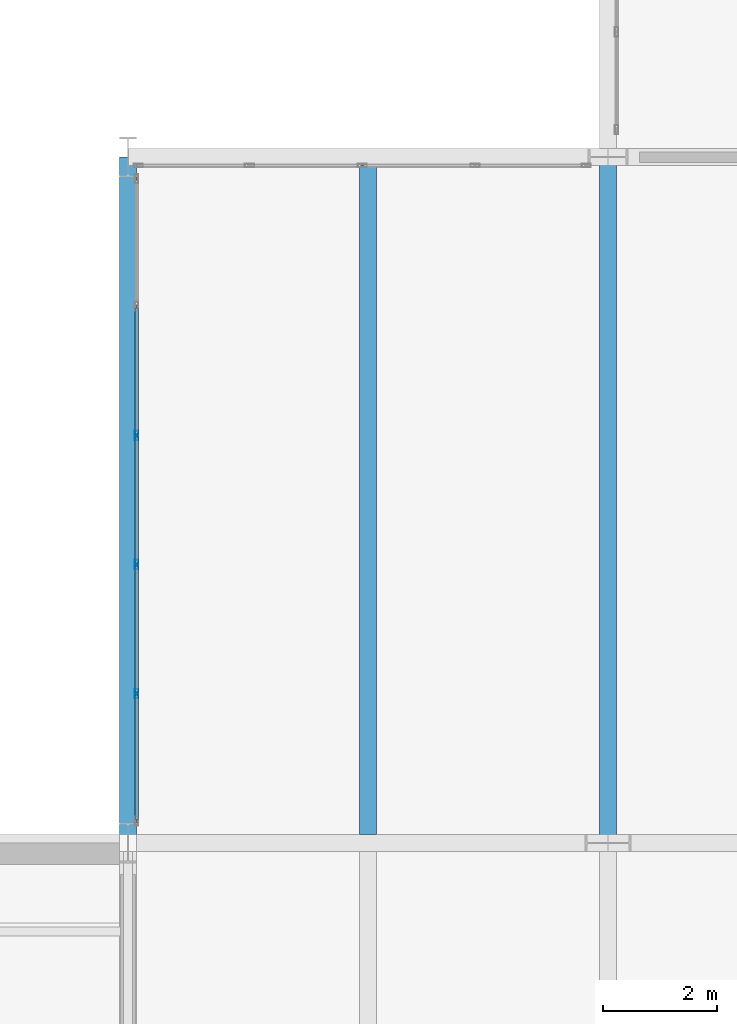
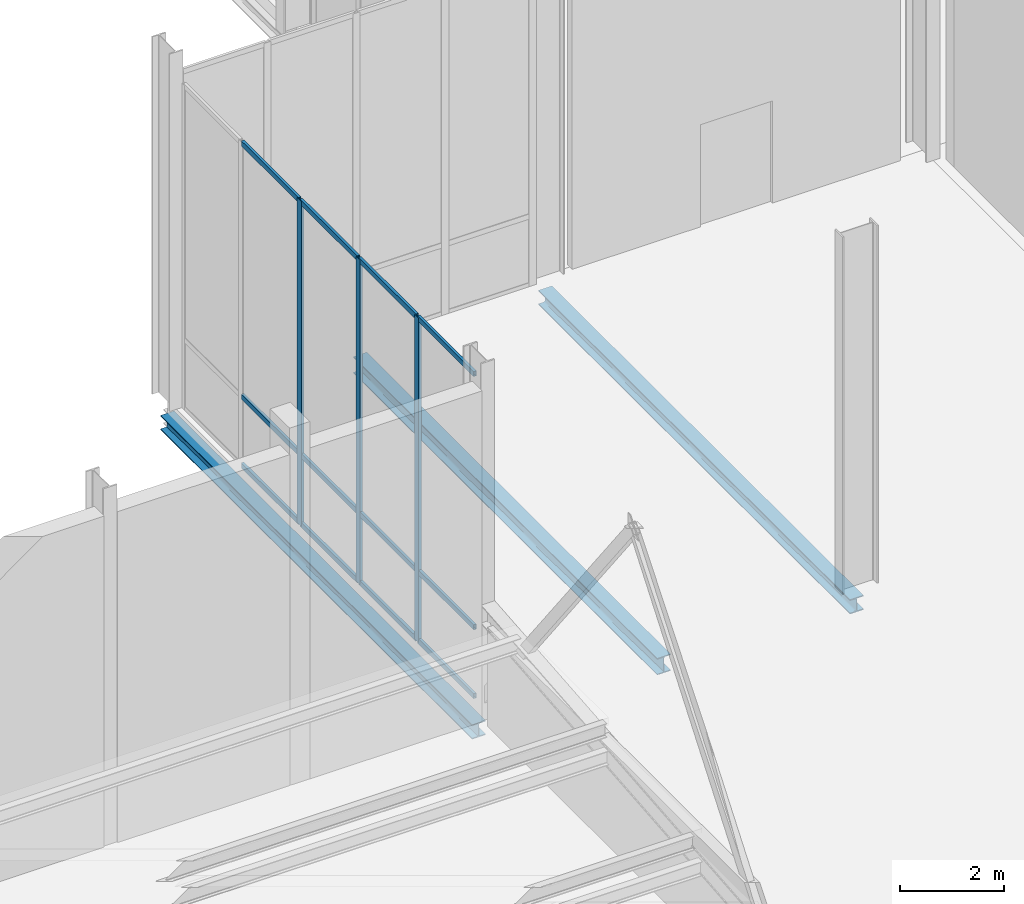
# One storey, part 42 of 131: 15 members, 3 beams, 1 element without a shape of its own.
"""IFC4 building model written with IfcOpenShell, lengths in metres."""

from ifc_helpers import new_model, si_unit, direction, frame, origin, origin_2d, place, context, subcontext, project, spatial, hollow_rectangle, i_section, extrude, material, material_profile, profile_set, type_object, element, aggregate, save


model = new_model("IFC4")

# Units and contexts
model_context = context("Model", 3, precision=1e-05, world=origin(), true_north=direction((0.0, 1.0)))
body_context = subcontext(model_context, "Body", "Model", "MODEL_VIEW")
ifc_project = project(units=[si_unit("LENGTHUNIT", "METRE"), si_unit("AREAUNIT", "SQUARE_METRE"), si_unit("VOLUMEUNIT", "CUBIC_METRE"), si_unit("PLANEANGLEUNIT", "RADIAN"), si_unit("MASSUNIT", "GRAM", prefix="KILO")], contexts=[model_context])

# Site, building, storey
site_placement = place(None, origin())
site = spatial("IfcSite", under=ifc_project, at=site_placement, CompositionType="ELEMENT")
building_placement = place(site_placement, origin())
building = spatial("IfcBuilding", under=site, at=building_placement, Name="Veltarok Museum of Natural Sciences", CompositionType="ELEMENT")
storey_placement = place(building_placement, origin())
storey = spatial("IfcBuildingStorey", under=building, at=storey_placement, Name="L00", CompositionType="ELEMENT", Elevation=0.0)

# Curtain wall, members
ifc_material_1 = material(Name="Low-iron triple insulated glass", Category="glass")
curtain_wall_type = type_object("IfcCurtainWallType", Name="Curtain Wall System CW-PASW0-L00-3-1130x763 (CW-PASW0 L00 1130x763cm)", PredefinedType="NOTDEFINED", material=ifc_material_1)
curtain_wall_placement = place(storey_placement, origin())
curtain_wall = element("IfcCurtainWall", 1, at=curtain_wall_placement, inside=storey, type_object=curtain_wall_type, Name="Curtain Wall CW-PASW0-L00-3-1130x763 CW-0207", PredefinedType="NOTDEFINED")
ifc_material_2 = material(Name="Thermally broken anodised aluminium", Category="aluminium")
ifc_material_profile_1 = material_profile(ifc_material_2, hollow_rectangle(XDim=0.06005859375, YDim=0.1201171875, WallThickness=0.0048828125, at=origin_2d()), Name="CW TRANSOM 60x120x5")
ifc_profile_set_1 = profile_set([ifc_material_profile_1], Name="Thermally broken anodised aluminium")
member_type_1 = type_object("IfcMemberType", Name="Curtain Wall Horizontal Transom 60x120x5", PredefinedType="USERDEFINED", material=ifc_profile_set_1)
member_1_placement = place(storey_placement, frame((23.35009765625, 60.409912109375, 0.028076171875), z_axis=(0.0, 1.0, 0.0), x_axis=(-1.0, 0.0, 0.0)))
member_1 = element("IfcMember", 2, at=member_1_placement, type_object=member_type_1, Name="CW-PASW0-L00-3-1130x763 transom 1.1", ObjectType="TRANSOM", PredefinedType="USERDEFINED", context=body_context, shape_type="SweptSolid", body=[
    extrude(hollow_rectangle(XDim=0.06005859375, YDim=0.1201171875, WallThickness=0.0048828125, at=origin_2d()), origin(), (0.0, 0.0, 1.0), 2.170166015625),
])
member_2_placement = place(storey_placement, frame((23.35009765625, 60.409912109375, 1.64794921875), z_axis=(0.0, 1.0, 0.0), x_axis=(-1.0, 0.0, 0.0)))
member_2 = element("IfcMember", 3, at=member_2_placement, type_object=member_type_1, Name="CW-PASW0-L00-3-1130x763 transom 1.2", ObjectType="TRANSOM", PredefinedType="USERDEFINED", context=body_context, shape_type="SweptSolid", body=[
    extrude(hollow_rectangle(XDim=0.06005859375, YDim=0.1201171875, WallThickness=0.0048828125, at=origin_2d()), origin(), (0.0, 0.0, 1.0), 2.170166015625),
])
member_3_placement = place(storey_placement, frame((23.35009765625, 60.409912109375, 7.60009765625), z_axis=(0.0, 1.0, 0.0), x_axis=(-1.0, 0.0, 0.0)))
member_3 = element("IfcMember", 4, at=member_3_placement, type_object=member_type_1, Name="CW-PASW0-L00-3-1130x763 transom 1.3", ObjectType="TRANSOM", PredefinedType="USERDEFINED", context=body_context, shape_type="SweptSolid", body=[
    extrude(hollow_rectangle(XDim=0.06005859375, YDim=0.1201171875, WallThickness=0.0048828125, at=origin_2d()), origin(), (0.0, 0.0, 1.0), 2.170166015625),
])
member_4_placement = place(storey_placement, frame((23.35009765625, 62.639892578125, 0.028076171875), z_axis=(0.0, 1.0, 0.0), x_axis=(-1.0, 0.0, 0.0)))
member_4 = element("IfcMember", 5, at=member_4_placement, type_object=member_type_1, Name="CW-PASW0-L00-3-1130x763 transom 2.1", ObjectType="TRANSOM", PredefinedType="USERDEFINED", context=body_context, shape_type="SweptSolid", body=[
    extrude(hollow_rectangle(XDim=0.06005859375, YDim=0.1201171875, WallThickness=0.0048828125, at=origin_2d()), origin(), (0.0, 0.0, 1.0), 2.2001953125),
])
member_5_placement = place(storey_placement, frame((23.35009765625, 62.639892578125, 1.64794921875), z_axis=(0.0, 1.0, 0.0), x_axis=(-1.0, 0.0, 0.0)))
member_5 = element("IfcMember", 6, at=member_5_placement, type_object=member_type_1, Name="CW-PASW0-L00-3-1130x763 transom 2.2", ObjectType="TRANSOM", PredefinedType="USERDEFINED", context=body_context, shape_type="SweptSolid", body=[
    extrude(hollow_rectangle(XDim=0.06005859375, YDim=0.1201171875, WallThickness=0.0048828125, at=origin_2d()), origin(), (0.0, 0.0, 1.0), 2.2001953125),
])
member_6_placement = place(storey_placement, frame((23.35009765625, 62.639892578125, 7.60009765625), z_axis=(0.0, 1.0, 0.0), x_axis=(-1.0, 0.0, 0.0)))
member_6 = element("IfcMember", 7, at=member_6_placement, type_object=member_type_1, Name="CW-PASW0-L00-3-1130x763 transom 2.3", ObjectType="TRANSOM", PredefinedType="USERDEFINED", context=body_context, shape_type="SweptSolid", body=[
    extrude(hollow_rectangle(XDim=0.06005859375, YDim=0.1201171875, WallThickness=0.0048828125, at=origin_2d()), origin(), (0.0, 0.0, 1.0), 2.2001953125),
])
member_7_placement = place(storey_placement, frame((23.35009765625, 64.89990234375, 0.028076171875), z_axis=(0.0, 1.0, 0.0), x_axis=(-1.0, 0.0, 0.0)))
member_7 = element("IfcMember", 8, at=member_7_placement, type_object=member_type_1, Name="CW-PASW0-L00-3-1130x763 transom 3.1", ObjectType="TRANSOM", PredefinedType="USERDEFINED", context=body_context, shape_type="SweptSolid", body=[
    extrude(hollow_rectangle(XDim=0.06005859375, YDim=0.1201171875, WallThickness=0.0048828125, at=origin_2d()), origin(), (0.0, 0.0, 1.0), 2.2001953125),
])
member_8_placement = place(storey_placement, frame((23.35009765625, 64.89990234375, 1.64794921875), z_axis=(0.0, 1.0, 0.0), x_axis=(-1.0, 0.0, 0.0)))
member_8 = element("IfcMember", 9, at=member_8_placement, type_object=member_type_1, Name="CW-PASW0-L00-3-1130x763 transom 3.2", ObjectType="TRANSOM", PredefinedType="USERDEFINED", context=body_context, shape_type="SweptSolid", body=[
    extrude(hollow_rectangle(XDim=0.06005859375, YDim=0.1201171875, WallThickness=0.0048828125, at=origin_2d()), origin(), (0.0, 0.0, 1.0), 2.2001953125),
])
member_9_placement = place(storey_placement, frame((23.35009765625, 64.89990234375, 7.60009765625), z_axis=(0.0, 1.0, 0.0), x_axis=(-1.0, 0.0, 0.0)))
member_9 = element("IfcMember", 10, at=member_9_placement, type_object=member_type_1, Name="CW-PASW0-L00-3-1130x763 transom 3.3", ObjectType="TRANSOM", PredefinedType="USERDEFINED", context=body_context, shape_type="SweptSolid", body=[
    extrude(hollow_rectangle(XDim=0.06005859375, YDim=0.1201171875, WallThickness=0.0048828125, at=origin_2d()), origin(), (0.0, 0.0, 1.0), 2.2001953125),
])
member_10_placement = place(storey_placement, frame((23.35009765625, 67.159912109375, 0.028076171875), z_axis=(0.0, 1.0, 0.0), x_axis=(-1.0, 0.0, 0.0)))
member_10 = element("IfcMember", 11, at=member_10_placement, type_object=member_type_1, Name="CW-PASW0-L00-3-1130x763 transom 4.1", ObjectType="TRANSOM", PredefinedType="USERDEFINED", context=body_context, shape_type="SweptSolid", body=[
    extrude(hollow_rectangle(XDim=0.06005859375, YDim=0.1201171875, WallThickness=0.0048828125, at=origin_2d()), origin(), (0.0, 0.0, 1.0), 2.2001953125),
])
member_11_placement = place(storey_placement, frame((23.35009765625, 67.159912109375, 1.64794921875), z_axis=(0.0, 1.0, 0.0), x_axis=(-1.0, 0.0, 0.0)))
member_11 = element("IfcMember", 12, at=member_11_placement, type_object=member_type_1, Name="CW-PASW0-L00-3-1130x763 transom 4.2", ObjectType="TRANSOM", PredefinedType="USERDEFINED", context=body_context, shape_type="SweptSolid", body=[
    extrude(hollow_rectangle(XDim=0.06005859375, YDim=0.1201171875, WallThickness=0.0048828125, at=origin_2d()), origin(), (0.0, 0.0, 1.0), 2.2001953125),
])
member_12_placement = place(storey_placement, frame((23.35009765625, 67.159912109375, 7.60009765625), z_axis=(0.0, 1.0, 0.0), x_axis=(-1.0, 0.0, 0.0)))
member_12 = element("IfcMember", 13, at=member_12_placement, type_object=member_type_1, Name="CW-PASW0-L00-3-1130x763 transom 4.3", ObjectType="TRANSOM", PredefinedType="USERDEFINED", context=body_context, shape_type="SweptSolid", body=[
    extrude(hollow_rectangle(XDim=0.06005859375, YDim=0.1201171875, WallThickness=0.0048828125, at=origin_2d()), origin(), (0.0, 0.0, 1.0), 2.2001953125),
])
ifc_material_profile_2 = material_profile(ifc_material_2, hollow_rectangle(XDim=0.06005859375, YDim=0.159912109375, WallThickness=0.0048828125, at=origin_2d()), Name="CW MULLION 60x160x5")
ifc_profile_set_2 = profile_set([ifc_material_profile_2], Name="Thermally broken anodised aluminium")
member_type_2 = type_object("IfcMemberType", Name="Curtain Wall Vertical Mullion 60x160x5", PredefinedType="MULLION", material=ifc_profile_set_2)
member_13_placement = place(storey_placement, frame((23.35009765625, 62.610107421875, -0.001953125), z_axis=(0.0, 0.0, 1.0), x_axis=(-1.0, 0.0, 0.0)))
member_13 = element("IfcMember", 14, at=member_13_placement, type_object=member_type_2, Name="CW-PASW0-L00-3-1130x763 mullion 2", PredefinedType="MULLION", context=body_context, shape_type="SweptSolid", body=[
    extrude(hollow_rectangle(XDim=0.06005859375, YDim=0.159912109375, WallThickness=0.0048828125, at=origin_2d()), origin(), (0.0, 0.0, 1.0), 7.6318359375),
])
member_14_placement = place(storey_placement, frame((23.35009765625, 64.8701171875, -0.001953125), z_axis=(0.0, 0.0, 1.0), x_axis=(-1.0, 0.0, 0.0)))
member_14 = element("IfcMember", 15, at=member_14_placement, type_object=member_type_2, Name="CW-PASW0-L00-3-1130x763 mullion 3", PredefinedType="MULLION", context=body_context, shape_type="SweptSolid", body=[
    extrude(hollow_rectangle(XDim=0.06005859375, YDim=0.159912109375, WallThickness=0.0048828125, at=origin_2d()), origin(), (0.0, 0.0, 1.0), 7.6318359375),
])
member_15_placement = place(storey_placement, frame((23.35009765625, 67.1298828125, -0.001953125), z_axis=(0.0, 0.0, 1.0), x_axis=(-1.0, 0.0, 0.0)))
member_15 = element("IfcMember", 16, at=member_15_placement, type_object=member_type_2, Name="CW-PASW0-L00-3-1130x763 mullion 4", PredefinedType="MULLION", context=body_context, shape_type="SweptSolid", body=[
    extrude(hollow_rectangle(XDim=0.06005859375, YDim=0.159912109375, WallThickness=0.0048828125, at=origin_2d()), origin(), (0.0, 0.0, 1.0), 7.6318359375),
])
aggregate(curtain_wall, [member_13, member_14, member_15, member_1, member_2, member_3, member_4, member_5, member_6, member_7, member_8, member_9, member_10, member_11, member_12])

# Beams
ifc_material_3 = material(Name="Steel S355J2", Category="steel")
ifc_material_profile_3 = material_profile(ifc_material_3, i_section(OverallWidth=0.300048828125, OverallDepth=0.389892578125, WebThickness=0.010986328125, FlangeThickness=0.01904296875, FilletRadius=0.027099609375, at=origin_2d()), Name="HEA 400")
ifc_profile_set_3 = profile_set([ifc_material_profile_3], Name="Steel S355J2")
beam_type_1 = type_object("IfcBeamType", Name="Heavy Archive Joist HEA 400", PredefinedType="JOIST", material=ifc_profile_set_3)
beam_placement = place(storey_placement, frame((27.39990234375, 60.14794921875, -0.4951171875), z_axis=(0.0, 1.0, 0.0), x_axis=(-1.0, 0.0, 0.0)))
element("IfcBeam", 17, at=beam_placement, inside=storey, type_object=beam_type_1, Name="Secondary Joist BM-J06 L00 3-4/G-H.1", PredefinedType="JOIST", context=body_context, shape_type="SweptSolid", body=[
    extrude(i_section(OverallWidth=0.300048828125, OverallDepth=0.389892578125, WebThickness=0.010986328125, FlangeThickness=0.01904296875, FilletRadius=0.027099609375, at=origin_2d()), origin(), (0.0, 0.0, 1.0), 11.7041015625),
])
ifc_material_profile_4 = material_profile(ifc_material_3, i_section(OverallWidth=0.300048828125, OverallDepth=0.340087890625, WebThickness=0.011962890625, FlangeThickness=0.021484375, FilletRadius=0.027099609375, at=origin_2d()), Name="HEB 340")
ifc_profile_set_4 = profile_set([ifc_material_profile_4], Name="Steel S355J2")
beam_type_2 = type_object("IfcBeamType", Name="Perimeter Bridge Spandrel HEB 340", PredefinedType="SPANDREL", material=ifc_profile_set_4)
for number, where, z_axis, x_axis, name in (
    (18, (23.199951171875, 60.0, -0.469970703125), (0.0, 1.0, 0.0), (-1.0, 0.0, 0.0), "Beam BM-SP07 L00 3/G-H"),
    (19, (31.60009765625, 60.0, -0.469970703125), (0.0, 1.0, 0.0), (-1.0, 0.0, 0.0), "Beam BM-SP07 L00 4/G-H"),
):
    element("IfcBeam", number, at=place(storey_placement, frame(where, z_axis=z_axis, x_axis=x_axis)), inside=storey, type_object=beam_type_2, Name=name, PredefinedType="SPANDREL", context=body_context, shape_type="SweptSolid", body=[
        extrude(i_section(OverallWidth=0.300048828125, OverallDepth=0.340087890625, WebThickness=0.011962890625, FlangeThickness=0.021484375, FilletRadius=0.027099609375, at=origin_2d()), origin(), (0.0, 0.0, 1.0), 12.0),
    ])

save(model, "model.ifc")
